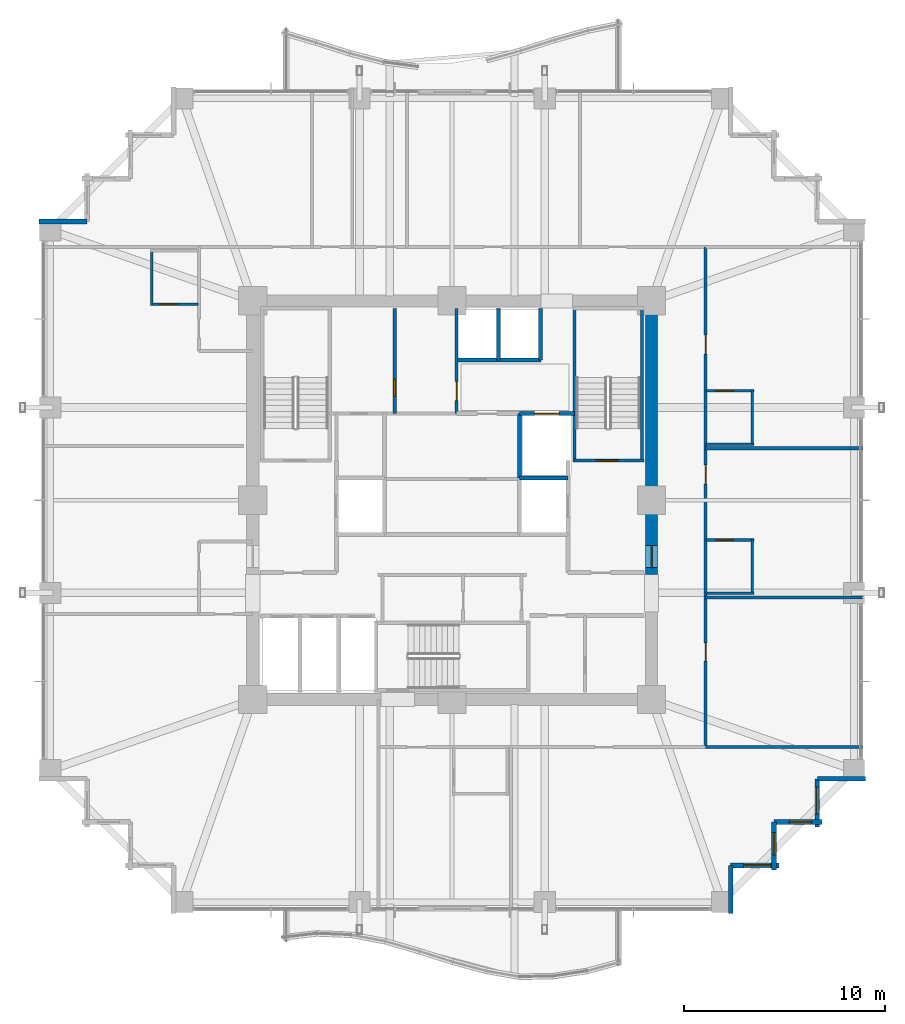
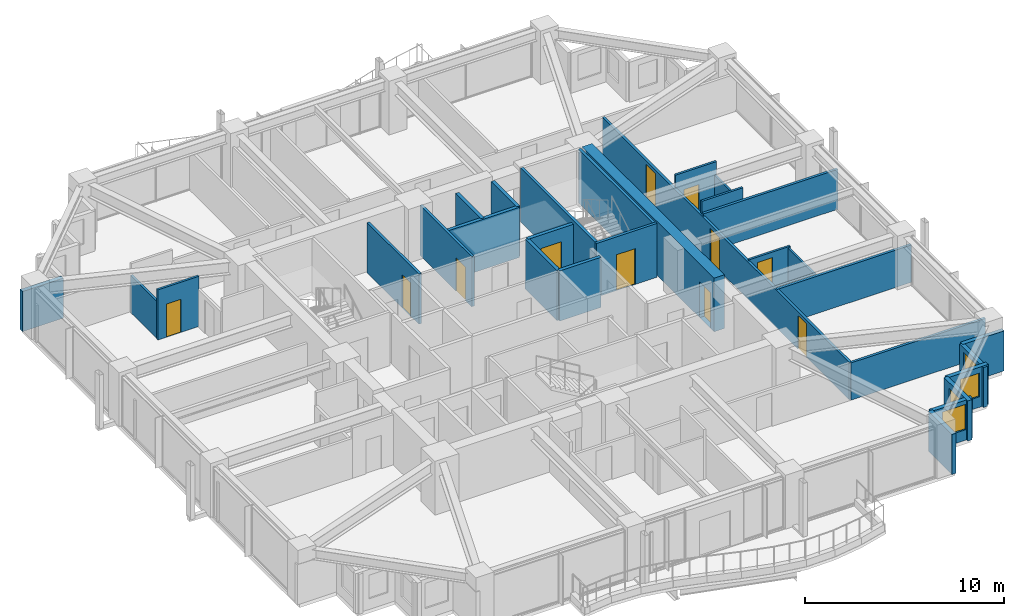
# One storey, part 34 of 38: 31 walls, 11 doors, 4 windows, 15 openings.
"""IFC4 building model written with IfcOpenShell, lengths in metres."""

from ifc_helpers import new_model, si_unit, direction, frame, frame_2d, origin, place, context, subcontext, project, spatial, rectangle, extrude, material, layer, layer_set, type_object, element, fill, save


model = new_model("IFC4")

# Units and contexts
model_context = context("Model", 3, precision=1e-05, world=origin(), true_north=direction((0.0, 1.0)))
body_context = subcontext(model_context, "Body", "Model", "MODEL_VIEW")
ifc_project = project(units=[si_unit("LENGTHUNIT", "METRE"), si_unit("AREAUNIT", "SQUARE_METRE"), si_unit("VOLUMEUNIT", "CUBIC_METRE"), si_unit("PLANEANGLEUNIT", "RADIAN"), si_unit("MASSUNIT", "GRAM", prefix="KILO")], contexts=[model_context])

# Site, building, storey
site_placement = place(None, origin())
site = spatial("IfcSite", under=ifc_project, at=site_placement, CompositionType="ELEMENT")
building_placement = place(site_placement, origin())
building = spatial("IfcBuilding", under=site, at=building_placement, Name="Kolvaren Belvedere", CompositionType="ELEMENT")
storey_placement = place(building_placement, frame((0.0, 0.0, 78.800048828125)))
storey = spatial("IfcBuildingStorey", under=building, at=storey_placement, Name="L22", CompositionType="ELEMENT", Elevation=78.800048828125)

# Wall, opening, door
ifc_material_1 = material(Name="Concrete C60/75", Category="concrete")
ifc_layer_1 = layer(ifc_material_1, 0.60009765625)
ifc_layer_set_1 = layer_set([ifc_layer_1], Name="Concrete C60/75")
wall_type_1 = type_object("IfcWallType", Name="CW-CORE-600", PredefinedType="SHEAR", material=ifc_layer_set_1)
wall_1_placement = place(storey_placement, frame((9.89990234375, -3.699951171875, 0.0), z_axis=(0.0, 0.0, 1.0), x_axis=(0.0, 1.0, 0.0)))
wall_1 = element("IfcWall", 1, at=wall_1_placement, inside=storey, type_object=wall_type_1, Name="L22 East Core Shear Wall 2", PredefinedType="SHEAR", context=body_context, shape_type="SweptSolid", body=[
    extrude(rectangle(XDim=13.300048828125, YDim=0.60009765625, at=frame_2d((6.64990234375, 0.0))), origin(), (0.0, 0.0, 1.0), 3.300048828125),
])
opening_1_placement = place(wall_1_placement, frame((0.35009765625, 0.0, 0.0)))
opening_1 = element("IfcOpeningElement", 2, at=opening_1_placement, cuts=wall_1, Name="Opening D-FD90", PredefinedType="OPENING", context=body_context, shape_type="SweptSolid", body=[
    extrude(rectangle(XDim=1.10009765625, YDim=2.199951171875, at=frame_2d((0.550048828125, 1.10009765625))), frame((0.0, 0.31005859375, 0.0), z_axis=(0.0, -1.0, 0.0), x_axis=(1.0, 0.0, 0.0)), (0.0, 0.0, 1.0), 0.6201171875),
])
ifc_material_2 = material(Name="Painted hollow stainless steel", Category="steel")
door_type_1 = type_object("IfcDoorType", Name="DR-FD90-1100", OperationType="NOTDEFINED", PredefinedType="DOOR", material=ifc_material_2)
door_1_placement = place(opening_1_placement, origin())
door_1 = element("IfcDoor", 3, at=door_1_placement, inside=storey, type_object=door_type_1, Name="L22 East Firefighting Lobby Fire Door", OperationType="SINGLE_SWING_RIGHT", OverallHeight=2.199951171875, OverallWidth=1.10009765625, PredefinedType="DOOR", context=body_context, shape_type="SweptSolid", body=[
    extrude(rectangle(XDim=1.10009765625, YDim=2.199951171875, at=frame_2d((0.550048828125, 1.10009765625))), frame((0.0, 0.02490234375, 0.0), z_axis=(0.0, -1.0, 0.0), x_axis=(1.0, 0.0, 0.0)), (0.0, 0.0, 1.0), 0.050048828125),
])
fill(opening_1, door_1)

ifc_material_3 = material(Name="Concrete C50/60", Category="concrete")
ifc_layer_2 = layer(ifc_material_3, 0.159912109375)
ifc_layer_set_2 = layer_set([ifc_layer_2], Name="Concrete C50/60")
wall_type_2 = type_object("IfcWallType", Name="CW-STAIR-160", PredefinedType="SHEAR", material=ifc_layer_set_2)
wall_2_placement = place(storey_placement, frame((6.0, 1.969970703125, 0.0), z_axis=(0.0, 0.0, 1.0), x_axis=(1.0, 0.0, 0.0)))
wall_2 = element("IfcWall", 4, at=wall_2_placement, inside=storey, type_object=wall_type_2, Name="L22 Stair ST-2 South Shear Wall", PredefinedType="SHEAR", context=body_context, shape_type="SweptSolid", body=[
    extrude(rectangle(XDim=3.52001953125, YDim=0.159912109375, at=frame_2d((1.760009765625, 0.0))), origin(), (0.0, 0.0, 1.0), 3.300048828125),
])
opening_2_placement = place(wall_2_placement, frame((1.14990234375, 0.0, 0.0)))
opening_2 = element("IfcOpeningElement", 5, at=opening_2_placement, cuts=wall_2, Name="Opening D-FD90", PredefinedType="OPENING", context=body_context, shape_type="SweptSolid", body=[
    extrude(rectangle(XDim=1.10009765625, YDim=2.199951171875, at=frame_2d((0.550048828125, 1.10009765625))), frame((0.0, 0.08984375, 0.0), z_axis=(0.0, -1.0, 0.0), x_axis=(1.0, 0.0, 0.0)), (0.0, 0.0, 1.0), 0.179931640625),
])
door_2_placement = place(opening_2_placement, origin())
door_2 = element("IfcDoor", 6, at=door_2_placement, inside=storey, type_object=door_type_1, Name="L22 Stair ST-2 Fire Door", OperationType="SINGLE_SWING_RIGHT", OverallHeight=2.199951171875, OverallWidth=1.10009765625, PredefinedType="DOOR", context=body_context, shape_type="SweptSolid", body=[
    extrude(rectangle(XDim=1.10009765625, YDim=2.199951171875, at=frame_2d((0.550048828125, 1.10009765625))), frame((0.0, 0.02490234375, 0.0), z_axis=(0.0, -1.0, 0.0), x_axis=(1.0, 0.0, 0.0)), (0.0, 0.0, 1.0), 0.050048828125),
])
fill(opening_2, door_2)

# Walls
for number, where, z_axis, x_axis, name in (
    (7, (6.080078125, 1.969970703125, 0.0), (0.0, 0.0, 1.0), (0.0, 1.0, 0.0), "L22 Stair ST-2 West Shear Wall"),
    (8, (9.429931640625, 1.969970703125, 0.0), (0.0, 0.0, 1.0), (0.0, 1.0, 0.0), "L22 Stair ST-2 East Shear Wall"),
):
    element("IfcWall", number, at=place(storey_placement, frame(where, z_axis=z_axis, x_axis=x_axis)), inside=storey, type_object=wall_type_2, Name=name, PredefinedType="SHEAR", context=body_context, shape_type="SweptSolid", body=[
        extrude(rectangle(XDim=7.56005859375, YDim=0.159912109375, at=frame_2d((3.780029296875, 0.0))), origin(), (0.0, 0.0, 1.0), 3.300048828125),
    ])

# Wall, openings, doors
ifc_material_4 = material(Name="Gypsum fire-rated partition assembly", Category="gypsum")
ifc_layer_3 = layer(ifc_material_4, 0.14990234375)
ifc_layer_set_3 = layer_set([ifc_layer_3], Name="Gypsum fire-rated partition assembly")
wall_type_3 = type_object("IfcWallType", Name="WL-CORR-150", PredefinedType="PARTITIONING", material=ifc_layer_set_3)
wall_3_placement = place(storey_placement, frame((12.580078125, -12.260009765625, 0.0), z_axis=(0.0, 0.0, 1.0), x_axis=(0.0, 1.0, 0.0)))
wall_3 = element("IfcWall", 9, at=wall_3_placement, inside=storey, type_object=wall_type_3, Name="L22 East Corridor Wall", PredefinedType="PARTITIONING", context=body_context, shape_type="SweptSolid", body=[
    extrude(rectangle(XDim=24.840087890625, YDim=0.14990234375, at=frame_2d((12.419921875, 0.0))), origin(), (0.0, 0.0, 1.0), 2.2919921875),
])
opening_3_placement = place(wall_3_placement, frame((4.27490234375, 0.0, 0.0)))
opening_3 = element("IfcOpeningElement", 10, at=opening_3_placement, cuts=wall_3, Name="Opening D-INT90", PredefinedType="OPENING", context=body_context, shape_type="SweptSolid", body=[
    extrude(rectangle(XDim=0.89990234375, YDim=2.06005859375, at=frame_2d((0.449951171875, 1.030029296875))), frame((0.0, 0.0849609375, 0.0), z_axis=(0.0, -1.0, 0.0), x_axis=(1.0, 0.0, 0.0)), (0.0, 0.0, 1.0), 0.169921875),
])
opening_4_placement = place(wall_3_placement, frame((13.059326171875, 0.0, 0.0)))
opening_4 = element("IfcOpeningElement", 11, at=opening_4_placement, cuts=wall_3, Name="Opening D-FD60", PredefinedType="OPENING", context=body_context, shape_type="SweptSolid", body=[
    extrude(rectangle(XDim=0.949951171875, YDim=2.06005859375, at=frame_2d((0.47509765625, 1.030029296875))), frame((0.0, 0.0849609375, 0.0), z_axis=(0.0, -1.0, 0.0), x_axis=(1.0, 0.0, 0.0)), (0.0, 0.0, 1.0), 0.169921875),
])
opening_5_placement = place(wall_3_placement, frame((19.507568359375, 0.0, 0.0)))
opening_5 = element("IfcOpeningElement", 12, at=opening_5_placement, cuts=wall_3, Name="Opening D-FD60", PredefinedType="OPENING", context=body_context, shape_type="SweptSolid", body=[
    extrude(rectangle(XDim=0.949951171875, YDim=2.06005859375, at=frame_2d((0.47509765625, 1.030029296875))), frame((0.0, 0.0849609375, 0.0), z_axis=(0.0, -1.0, 0.0), x_axis=(1.0, 0.0, 0.0)), (0.0, 0.0, 1.0), 0.169921875),
])
ifc_material_5 = material(Name="Acoustic white-oak fire door leaf", Category="timber")
door_type_2 = type_object("IfcDoorType", Name="DR-FD60-950", OperationType="NOTDEFINED", PredefinedType="DOOR", material=ifc_material_5)
door_3_placement = place(opening_4_placement, origin())
door_3 = element("IfcDoor", 13, at=door_3_placement, inside=storey, type_object=door_type_2, Name="L22 Botanical Hospitality Suite 2205 Entry Door", OperationType="SINGLE_SWING_LEFT", OverallHeight=2.06005859375, OverallWidth=0.949951171875, PredefinedType="DOOR", context=body_context, shape_type="SweptSolid", body=[
    extrude(rectangle(XDim=0.949951171875, YDim=2.06005859375, at=frame_2d((0.47509765625, 1.030029296875))), frame((0.0, 0.02490234375, 0.0), z_axis=(0.0, -1.0, 0.0), x_axis=(1.0, 0.0, 0.0)), (0.0, 0.0, 1.0), 0.050048828125),
])
fill(opening_4, door_3)
door_4_placement = place(opening_5_placement, origin())
door_4 = element("IfcDoor", 14, at=door_4_placement, inside=storey, type_object=door_type_2, Name="L22 King Guest Room 2206 Entry Door", OperationType="SINGLE_SWING_LEFT", OverallHeight=2.06005859375, OverallWidth=0.949951171875, PredefinedType="DOOR", context=body_context, shape_type="SweptSolid", body=[
    extrude(rectangle(XDim=0.949951171875, YDim=2.06005859375, at=frame_2d((0.47509765625, 1.030029296875))), frame((0.0, 0.02490234375, 0.0), z_axis=(0.0, -1.0, 0.0), x_axis=(1.0, 0.0, 0.0)), (0.0, 0.0, 1.0), 0.050048828125),
])
fill(opening_5, door_4)
ifc_material_6 = material(Name="Stained Pacific white oak", Category="timber")
door_type_3 = type_object("IfcDoorType", Name="DR-INT-900", OperationType="NOTDEFINED", PredefinedType="DOOR", material=ifc_material_6)
door_5_placement = place(opening_3_placement, origin())
door_5 = element("IfcDoor", 15, at=door_5_placement, inside=storey, type_object=door_type_3, Name="L22 Botanical Reading Salon 2204 Door", OperationType="SINGLE_SWING_LEFT", OverallHeight=2.06005859375, OverallWidth=0.89990234375, PredefinedType="DOOR", context=body_context, shape_type="SweptSolid", body=[
    extrude(rectangle(XDim=0.89990234375, YDim=2.06005859375, at=frame_2d((0.449951171875, 1.030029296875))), frame((0.0, 0.02490234375, 0.0), z_axis=(0.0, -1.0, 0.0), x_axis=(1.0, 0.0, 0.0)), (0.0, 0.0, 1.0), 0.050048828125),
])
fill(opening_3, door_5)

# Wall
ifc_material_7 = material(Name="Insulated pale-metal facade wall assembly", Category="aluminium")
ifc_layer_4 = layer(ifc_material_7, 0.239990234375)
ifc_layer_set_4 = layer_set([ifc_layer_4], Name="Insulated pale-metal facade wall assembly")
wall_type_4 = type_object("IfcWallType", Name="WL-EXT-240", PredefinedType="STANDARD", material=ifc_layer_set_4)
wall_4_placement = place(storey_placement, frame((13.830078125, -18.1298828125, 0.0), z_axis=(0.0, 0.0, 1.0), x_axis=(0.0, -1.0, 0.0)))
element("IfcWall", 16, at=wall_4_placement, inside=storey, type_object=wall_type_4, Name="L22 Serrated Corner Facade Wall 2", PredefinedType="STANDARD", context=body_context, shape_type="SweptSolid", body=[
    extrude(rectangle(XDim=2.39013671875, YDim=0.239990234375, at=frame_2d((1.195068359375, 0.0))), origin(), (0.0, 0.0, 1.0), 2.458984375),
])

# Wall, opening, window
wall_5_placement = place(storey_placement, frame((16.219970703125, -18.1298828125, 0.0), z_axis=(0.0, 0.0, 1.0), x_axis=(-1.0, 0.0, 0.0)))
wall_5 = element("IfcWall", 17, at=wall_5_placement, inside=storey, type_object=wall_type_4, Name="L22 Serrated Corner Facade Wall 3", PredefinedType="STANDARD", context=body_context, shape_type="SweptSolid", body=[
    extrude(rectangle(XDim=2.389892578125, YDim=0.239990234375, at=frame_2d((1.19482421875, 0.0))), origin(), (0.0, 0.0, 1.0), 2.458984375),
])
opening_6_placement = place(wall_5_placement, frame((0.39990234375, 0.0, 0.64990234375)))
opening_6 = element("IfcOpeningElement", 18, at=opening_6_placement, cuts=wall_5, Name="Opening W-1350", PredefinedType="OPENING", context=body_context, shape_type="SweptSolid", body=[
    extrude(rectangle(XDim=1.35009765625, YDim=1.550048828125, at=frame_2d((0.675048828125, 0.77490234375))), frame((0.0, 0.1298828125, 0.0), z_axis=(0.0, -1.0, 0.0), x_axis=(1.0, 0.0, 0.0)), (0.0, 0.0, 1.0), 0.260009765625),
])
ifc_material_8 = material(Name="Low-iron triple insulated glass", Category="glass")
window_type_1 = type_object("IfcWindowType", Name="WN-CORN-1350", PartitioningType="SINGLE_PANEL", PredefinedType="WINDOW", material=ifc_material_8)
window_1_placement = place(opening_6_placement, origin())
window_1 = element("IfcWindow", 19, at=window_1_placement, inside=storey, type_object=window_type_1, Name="L22 Serrated Corner Vision Window 3", OverallHeight=1.550048828125, OverallWidth=1.35009765625, PartitioningType="SINGLE_PANEL", PredefinedType="WINDOW", context=body_context, shape_type="SweptSolid", body=[
    extrude(rectangle(XDim=1.35009765625, YDim=1.550048828125, at=frame_2d((0.675048828125, 0.77490234375))), frame((0.0, 0.030029296875, 0.0), z_axis=(0.0, -1.0, 0.0), x_axis=(1.0, 0.0, 0.0)), (0.0, 0.0, 1.0), 0.06005859375),
])
fill(opening_6, window_1)

wall_6_placement = place(storey_placement, frame((15.97998046875, -15.97998046875, 0.0), z_axis=(0.0, 0.0, 1.0), x_axis=(0.0, -1.0, 0.0)))
wall_6 = element("IfcWall", 20, at=wall_6_placement, inside=storey, type_object=wall_type_4, Name="L22 Serrated Corner Facade Wall 4", PredefinedType="STANDARD", context=body_context, shape_type="SweptSolid", body=[
    extrude(rectangle(XDim=2.39013671875, YDim=0.239990234375, at=frame_2d((1.195068359375, 0.0))), origin(), (0.0, 0.0, 1.0), 2.458984375),
])
opening_7_placement = place(wall_6_placement, frame((0.52490234375, 0.0, 0.64990234375)))
opening_7 = element("IfcOpeningElement", 21, at=opening_7_placement, cuts=wall_6, Name="Opening W-1100", PredefinedType="OPENING", context=body_context, shape_type="SweptSolid", body=[
    extrude(rectangle(XDim=1.10009765625, YDim=1.449951171875, at=frame_2d((0.550048828125, 0.72509765625))), frame((0.0, 0.1298828125, 0.0), z_axis=(0.0, -1.0, 0.0), x_axis=(1.0, 0.0, 0.0)), (0.0, 0.0, 1.0), 0.260009765625),
])
ifc_material_9 = material(Name="Low-iron triple insulated glass", Category="glass")
window_type_2 = type_object("IfcWindowType", Name="WN-CORN-1100", PartitioningType="SINGLE_PANEL", PredefinedType="WINDOW", material=ifc_material_9)
window_2_placement = place(opening_7_placement, origin())
window_2 = element("IfcWindow", 22, at=window_2_placement, inside=storey, type_object=window_type_2, Name="L22 Serrated Corner Vision Window 4", OverallHeight=1.449951171875, OverallWidth=1.10009765625, PartitioningType="SINGLE_PANEL", PredefinedType="WINDOW", context=body_context, shape_type="SweptSolid", body=[
    extrude(rectangle(XDim=1.10009765625, YDim=1.449951171875, at=frame_2d((0.550048828125, 0.72509765625))), frame((0.0, 0.030029296875, 0.0), z_axis=(0.0, -1.0, 0.0), x_axis=(1.0, 0.0, 0.0)), (0.0, 0.0, 1.0), 0.06005859375),
])
fill(opening_7, window_2)

wall_7_placement = place(storey_placement, frame((18.3701171875, -15.97998046875, 0.0), z_axis=(0.0, 0.0, 1.0), x_axis=(-1.0, 0.0, 0.0)))
wall_7 = element("IfcWall", 23, at=wall_7_placement, inside=storey, type_object=wall_type_4, Name="L22 Serrated Corner Facade Wall 5", PredefinedType="STANDARD", context=body_context, shape_type="SweptSolid", body=[
    extrude(rectangle(XDim=2.39013671875, YDim=0.239990234375, at=frame_2d((1.195068359375, 0.0))), origin(), (0.0, 0.0, 1.0), 2.458984375),
])
opening_8_placement = place(wall_7_placement, frame((0.52490234375, 0.0, 0.64990234375)))
opening_8 = element("IfcOpeningElement", 24, at=opening_8_placement, cuts=wall_7, Name="Opening W-1100", PredefinedType="OPENING", context=body_context, shape_type="SweptSolid", body=[
    extrude(rectangle(XDim=1.10009765625, YDim=1.449951171875, at=frame_2d((0.550048828125, 0.72509765625))), frame((0.0, 0.1298828125, 0.0), z_axis=(0.0, -1.0, 0.0), x_axis=(1.0, 0.0, 0.0)), (0.0, 0.0, 1.0), 0.260009765625),
])
window_3_placement = place(opening_8_placement, origin())
window_3 = element("IfcWindow", 25, at=window_3_placement, inside=storey, type_object=window_type_2, Name="L22 Serrated Corner Vision Window 5", OverallHeight=1.449951171875, OverallWidth=1.10009765625, PartitioningType="SINGLE_PANEL", PredefinedType="WINDOW", context=body_context, shape_type="SweptSolid", body=[
    extrude(rectangle(XDim=1.10009765625, YDim=1.449951171875, at=frame_2d((0.550048828125, 0.72509765625))), frame((0.0, 0.030029296875, 0.0), z_axis=(0.0, -1.0, 0.0), x_axis=(1.0, 0.0, 0.0)), (0.0, 0.0, 1.0), 0.06005859375),
])
fill(opening_8, window_3)

wall_8_placement = place(storey_placement, frame((18.1298828125, -13.830078125, 0.0), z_axis=(0.0, 0.0, 1.0), x_axis=(0.0, -1.0, 0.0)))
wall_8 = element("IfcWall", 26, at=wall_8_placement, inside=storey, type_object=wall_type_4, Name="L22 Serrated Corner Facade Wall 6", PredefinedType="STANDARD", context=body_context, shape_type="SweptSolid", body=[
    extrude(rectangle(XDim=2.389892578125, YDim=0.239990234375, at=frame_2d((1.19482421875, 0.0))), origin(), (0.0, 0.0, 1.0), 2.458984375),
])
opening_9_placement = place(wall_8_placement, frame((0.39990234375, 0.0, 0.64990234375)))
opening_9 = element("IfcOpeningElement", 27, at=opening_9_placement, cuts=wall_8, Name="Opening W-1350", PredefinedType="OPENING", context=body_context, shape_type="SweptSolid", body=[
    extrude(rectangle(XDim=1.35009765625, YDim=1.550048828125, at=frame_2d((0.675048828125, 0.77490234375))), frame((0.0, 0.1298828125, 0.0), z_axis=(0.0, -1.0, 0.0), x_axis=(1.0, 0.0, 0.0)), (0.0, 0.0, 1.0), 0.260009765625),
])
window_4_placement = place(opening_9_placement, origin())
window_4 = element("IfcWindow", 28, at=window_4_placement, inside=storey, type_object=window_type_1, Name="L22 Serrated Corner Vision Window 6", OverallHeight=1.550048828125, OverallWidth=1.35009765625, PartitioningType="SINGLE_PANEL", PredefinedType="WINDOW", context=body_context, shape_type="SweptSolid", body=[
    extrude(rectangle(XDim=1.35009765625, YDim=1.550048828125, at=frame_2d((0.675048828125, 0.77490234375))), frame((0.0, 0.030029296875, 0.0), z_axis=(0.0, -1.0, 0.0), x_axis=(1.0, 0.0, 0.0)), (0.0, 0.0, 1.0), 0.06005859375),
])
fill(opening_9, window_4)

# Walls
for number, where, z_axis, x_axis, name in (
    (29, (20.52001953125, -13.830078125, 0.0), (0.0, 0.0, 1.0), (-1.0, 0.0, 0.0), "L22 Serrated Corner Facade Wall 7"),
    (30, (-20.52001953125, 13.830078125, 0.0), (0.0, 0.0, 1.0), (1.0, 0.0, 0.0), "L22 Serrated Corner Facade Wall 21"),
):
    element("IfcWall", number, at=place(storey_placement, frame(where, z_axis=z_axis, x_axis=x_axis)), inside=storey, type_object=wall_type_4, Name=name, PredefinedType="STANDARD", context=body_context, shape_type="SweptSolid", body=[
        extrude(rectangle(XDim=2.39013671875, YDim=0.239990234375, at=frame_2d((1.195068359375, 0.0))), origin(), (0.0, 0.0, 1.0), 2.458984375),
    ])

# Wall, opening, door
ifc_material_10 = material(Name="Gypsum acoustic partition assembly", Category="gypsum")
ifc_layer_5 = layer(ifc_material_10, 0.14990234375)
ifc_layer_set_5 = layer_set([ifc_layer_5], Name="Gypsum acoustic partition assembly")
wall_type_5 = type_object("IfcWallType", Name="WL-PART-150", PredefinedType="PARTITIONING", material=ifc_layer_set_5)
wall_9_placement = place(storey_placement, frame((0.219970703125, 4.300048828125, 0.0), z_axis=(0.0, 0.0, 1.0), x_axis=(0.0, 1.0, 0.0)))
wall_9 = element("IfcWall", 31, at=wall_9_placement, inside=storey, type_object=wall_type_5, Name="L22 Reclaimed Salon East Wall", PredefinedType="PARTITIONING", context=body_context, shape_type="SweptSolid", body=[
    extrude(rectangle(XDim=5.219970703125, YDim=0.14990234375, at=frame_2d((2.60986328125, 0.0))), origin(), (0.0, 0.0, 1.0), 3.079833984375),
])
opening_10_placement = place(wall_9_placement, frame((0.64990234375, 0.0, 0.0)))
opening_10 = element("IfcOpeningElement", 32, at=opening_10_placement, cuts=wall_9, Name="Opening D-INT95", PredefinedType="OPENING", context=body_context, shape_type="SweptSolid", body=[
    extrude(rectangle(XDim=0.949951171875, YDim=2.06005859375, at=frame_2d((0.47509765625, 1.030029296875))), frame((0.0, 0.0849609375, 0.0), z_axis=(0.0, -1.0, 0.0), x_axis=(1.0, 0.0, 0.0)), (0.0, 0.0, 1.0), 0.169921875),
])
ifc_material_11 = material(Name="Stained Pacific white oak", Category="timber")
door_type_4 = type_object("IfcDoorType", Name="DR-INT-950", OperationType="NOTDEFINED", PredefinedType="DOOR", material=ifc_material_11)
door_6_placement = place(opening_10_placement, origin())
door_6 = element("IfcDoor", 33, at=door_6_placement, inside=storey, type_object=door_type_4, Name="L22 Sky Boardroom Door", OperationType="SINGLE_SWING_LEFT", OverallHeight=2.06005859375, OverallWidth=0.949951171875, PredefinedType="DOOR", context=body_context, shape_type="SweptSolid", body=[
    extrude(rectangle(XDim=0.949951171875, YDim=2.06005859375, at=frame_2d((0.47509765625, 1.030029296875))), frame((0.0, 0.02490234375, 0.0), z_axis=(0.0, -1.0, 0.0), x_axis=(1.0, 0.0, 0.0)), (0.0, 0.0, 1.0), 0.050048828125),
])
fill(opening_10, door_6)

wall_10_placement = place(storey_placement, frame((-2.85009765625, 4.300048828125, 0.0), z_axis=(0.0, 0.0, 1.0), x_axis=(0.0, 1.0, 0.0)))
wall_10 = element("IfcWall", 34, at=wall_10_placement, inside=storey, type_object=wall_type_5, Name="L22 Reclaimed Salon Divider", PredefinedType="PARTITIONING", context=body_context, shape_type="SweptSolid", body=[
    extrude(rectangle(XDim=5.219970703125, YDim=0.14990234375, at=frame_2d((2.60986328125, 0.0))), origin(), (0.0, 0.0, 1.0), 3.079833984375),
])
opening_11_placement = place(wall_10_placement, frame((0.85009765625, 0.0, 0.0)))
opening_11 = element("IfcOpeningElement", 35, at=opening_11_placement, cuts=wall_10, Name="Opening D-INT85", PredefinedType="OPENING", context=body_context, shape_type="SweptSolid", body=[
    extrude(rectangle(XDim=0.85009765625, YDim=2.030029296875, at=frame_2d((0.425048828125, 1.01513671875))), frame((0.0, 0.0849609375, 0.0), z_axis=(0.0, -1.0, 0.0), x_axis=(1.0, 0.0, 0.0)), (0.0, 0.0, 1.0), 0.169921875),
])
ifc_material_12 = material(Name="Stained Pacific white oak", Category="timber")
door_type_5 = type_object("IfcDoorType", Name="DR-INT-850", OperationType="NOTDEFINED", PredefinedType="DOOR", material=ifc_material_12)
door_7_placement = place(opening_11_placement, origin())
door_7 = element("IfcDoor", 36, at=door_7_placement, inside=storey, type_object=door_type_5, Name="L22 Beverage Pantry Door", OperationType="SINGLE_SWING_RIGHT", OverallHeight=2.030029296875, OverallWidth=0.85009765625, PredefinedType="DOOR", context=body_context, shape_type="SweptSolid", body=[
    extrude(rectangle(XDim=0.85009765625, YDim=2.030029296875, at=frame_2d((0.425048828125, 1.01513671875))), frame((0.0, 0.02490234375, 0.0), z_axis=(0.0, -1.0, 0.0), x_axis=(1.0, 0.0, 0.0)), (0.0, 0.0, 1.0), 0.050048828125),
])
fill(opening_11, door_7)

# Walls
for number, where, z_axis, x_axis, name in (
    (37, (12.580078125, -12.260009765625, 0.0), (0.0, 0.0, 1.0), (1.0, 0.0, 0.0), "L22 Wing Divider PW-L22-QSE"),
    (38, (12.580078125, -4.820068359375, 0.0), (0.0, 0.0, 1.0), (1.0, 0.0, 0.0), "L22 East Suite Demising Wall 1"),
):
    element("IfcWall", number, at=place(storey_placement, frame(where, z_axis=z_axis, x_axis=x_axis)), inside=storey, type_object=wall_type_5, Name=name, PredefinedType="PARTITIONING", context=body_context, shape_type="SweptSolid", body=[
        extrude(rectangle(XDim=7.7998046875, YDim=0.14990234375, at=frame_2d((3.89990234375, 0.0))), origin(), (0.0, 0.0, 1.0), 2.2919921875),
    ])
wall_11_placement = place(storey_placement, frame((12.580078125, 2.580078125, 0.0), z_axis=(0.0, 0.0, 1.0), x_axis=(1.0, 0.0, 0.0)))
element("IfcWall", 39, at=wall_11_placement, inside=storey, type_object=wall_type_5, Name="L22 East Suite Demising Wall 2", PredefinedType="PARTITIONING", context=body_context, shape_type="SweptSolid", body=[
    extrude(rectangle(XDim=7.7998046875, YDim=0.14990234375, at=frame_2d((3.89990234375, 0.0))), origin(), (0.0, 0.0, 1.0), 2.448974609375),
])
ifc_material_13 = material(Name="Concrete C50/60", Category="concrete")
ifc_layer_6 = layer(ifc_material_13, 0.199951171875)
ifc_layer_set_6 = layer_set([ifc_layer_6], Name="Concrete C50/60")
wall_type_6 = type_object("IfcWallType", Name="WL-SHAFT-200", PredefinedType="SOLIDWALL", material=ifc_layer_set_6)
wall_12_placement = place(storey_placement, frame((3.35009765625, 1.10009765625, 0.0), z_axis=(0.0, 0.0, 1.0), x_axis=(1.0, 0.0, 0.0)))
element("IfcWall", 40, at=wall_12_placement, inside=storey, type_object=wall_type_6, Name="L22 FSAE FS2 North Wall", PredefinedType="SOLIDWALL", context=body_context, shape_type="SweptSolid", body=[
    extrude(rectangle(XDim=2.39990234375, YDim=0.199951171875, at=frame_2d((1.199951171875, 0.0))), origin(), (0.0, 0.0, 1.0), 3.079833984375),
])

# Wall, opening, door
wall_13_placement = place(storey_placement, frame((3.35009765625, 4.300048828125, 0.0), z_axis=(0.0, 0.0, 1.0), x_axis=(1.0, 0.0, 0.0)))
wall_13 = element("IfcWall", 41, at=wall_13_placement, inside=storey, type_object=wall_type_6, Name="L22 Service Lift SV1 Front Wall", PredefinedType="SOLIDWALL", context=body_context, shape_type="SweptSolid", body=[
    extrude(rectangle(XDim=2.72998046875, YDim=0.199951171875, at=frame_2d((1.364990234375, 0.0))), origin(), (0.0, 0.0, 1.0), 3.079833984375),
])
opening_12_placement = place(wall_13_placement, frame((0.75, 0.0, 0.0)))
opening_12 = element("IfcOpeningElement", 42, at=opening_12_placement, cuts=wall_13, Name="Opening LD-12", PredefinedType="OPENING", context=body_context, shape_type="SweptSolid", body=[
    extrude(rectangle(XDim=1.199951171875, YDim=2.25, at=frame_2d((0.60009765625, 1.125))), frame((0.0, 0.10986328125, 0.0), z_axis=(0.0, -1.0, 0.0), x_axis=(1.0, 0.0, 0.0)), (0.0, 0.0, 1.0), 0.219970703125),
])
ifc_material_14 = material(Name="Brushed stainless steel", Category="steel")
door_type_6 = type_object("IfcDoorType", Name="DR-LIFT-1200", OperationType="DOUBLE_DOOR_SLIDING", PredefinedType="DOOR", material=ifc_material_14)
door_8_placement = place(opening_12_placement, origin())
door_8 = element("IfcDoor", 43, at=door_8_placement, inside=storey, type_object=door_type_6, Name="L22 Service Lift SV1 Landing Door", OperationType="DOUBLE_DOOR_SLIDING", OverallHeight=2.25, OverallWidth=1.199951171875, PredefinedType="DOOR", context=body_context, shape_type="SweptSolid", body=[
    extrude(rectangle(XDim=1.199951171875, YDim=2.25, at=frame_2d((0.60009765625, 1.125))), frame((0.0, 0.02490234375, 0.0), z_axis=(0.0, -1.0, 0.0), x_axis=(1.0, 0.0, 0.0)), (0.0, 0.0, 1.0), 0.050048828125),
])
fill(opening_12, door_8)

# Walls
wall_14_placement = place(storey_placement, frame((0.219970703125, 6.949951171875, 0.0), z_axis=(0.0, 0.0, 1.0), x_axis=(1.0, 0.0, 0.0)))
element("IfcWall", 44, at=wall_14_placement, inside=storey, type_object=wall_type_6, Name="L22 Express Shuttle Hoistway Wall", PredefinedType="SOLIDWALL", context=body_context, shape_type="SweptSolid", body=[
    extrude(rectangle(XDim=4.179931640625, YDim=0.199951171875, at=frame_2d((2.08984375, 0.0))), origin(), (0.0, 0.0, 1.0), 3.079833984375),
])
for number, where, z_axis, x_axis, name in (
    (45, (4.3798828125, 6.949951171875, 0.0), (0.0, 0.0, 1.0), (0.0, 1.0, 0.0), "L22 Express Shuttle East Wall"),
    (46, (2.31005859375, 6.949951171875, 0.0), (0.0, 0.0, 1.0), (0.0, 1.0, 0.0), "L22 Express Shuttle Divider"),
):
    element("IfcWall", number, at=place(storey_placement, frame(where, z_axis=z_axis, x_axis=x_axis)), inside=storey, type_object=wall_type_6, Name=name, PredefinedType="SOLIDWALL", context=body_context, shape_type="SweptSolid", body=[
        extrude(rectangle(XDim=2.570068359375, YDim=0.199951171875, at=frame_2d((1.28515625, 0.0))), origin(), (0.0, 0.0, 1.0), 3.079833984375),
    ])
wall_15_placement = place(storey_placement, frame((3.35009765625, 1.10009765625, 0.0), z_axis=(0.0, 0.0, 1.0), x_axis=(0.0, 1.0, 0.0)))
element("IfcWall", 47, at=wall_15_placement, inside=storey, type_object=wall_type_6, Name="L22 Central Core Room East Wall", PredefinedType="SOLIDWALL", context=body_context, shape_type="SweptSolid", body=[
    extrude(rectangle(XDim=3.199951171875, YDim=0.199951171875, at=frame_2d((1.60009765625, 0.0))), origin(), (0.0, 0.0, 1.0), 3.079833984375),
])

# Wall, opening, door
ifc_material_15 = material(Name="Moisture-resistant gypsum partition", Category="gypsum")
ifc_layer_7 = layer(ifc_material_15, 0.125)
ifc_layer_set_7 = layer_set([ifc_layer_7], Name="Moisture-resistant gypsum partition")
wall_type_7 = type_object("IfcWallType", Name="WL-WET-125", PredefinedType="PARTITIONING", material=ifc_layer_set_7)
wall_16_placement = place(storey_placement, frame((12.594970703125, -1.97509765625, 0.0), z_axis=(0.0, 0.0, 1.0), x_axis=(1.0, 0.0, 0.0)))
wall_16 = element("IfcWall", 48, at=wall_16_placement, inside=storey, type_object=wall_type_7, Name="L22 Bathroom Partition PW-L22-BTH-5-N", PredefinedType="PARTITIONING", context=body_context, shape_type="SweptSolid", body=[
    extrude(rectangle(XDim=2.39013671875, YDim=0.125, at=frame_2d((1.195068359375, 0.0))), origin(), (0.0, 0.0, 1.0), 2.368896484375),
])
opening_13_placement = place(wall_16_placement, frame((0.5, 0.0, 0.0)))
opening_13 = element("IfcOpeningElement", 49, at=opening_13_placement, cuts=wall_16, Name="Opening D-BTH85", PredefinedType="OPENING", context=body_context, shape_type="SweptSolid", body=[
    extrude(rectangle(XDim=0.85009765625, YDim=2.030029296875, at=frame_2d((0.425048828125, 1.01513671875))), frame((0.0, 0.072509765625, 0.0), z_axis=(0.0, -1.0, 0.0), x_axis=(1.0, 0.0, 0.0)), (0.0, 0.0, 1.0), 0.14501953125),
])
ifc_material_16 = material(Name="Moisture-sealed Pacific white oak", Category="timber")
door_type_7 = type_object("IfcDoorType", Name="DR-BATH-850", OperationType="NOTDEFINED", PredefinedType="DOOR", material=ifc_material_16)
door_9_placement = place(opening_13_placement, origin())
door_9 = element("IfcDoor", 50, at=door_9_placement, inside=storey, type_object=door_type_7, Name="L22 En-Suite Bathroom 2205 Door", OperationType="SINGLE_SWING_RIGHT", OverallHeight=2.030029296875, OverallWidth=0.85009765625, PredefinedType="DOOR", context=body_context, shape_type="SweptSolid", body=[
    extrude(rectangle(XDim=0.85009765625, YDim=2.030029296875, at=frame_2d((0.425048828125, 1.01513671875))), frame((0.0, 0.02490234375, 0.0), z_axis=(0.0, -1.0, 0.0), x_axis=(1.0, 0.0, 0.0)), (0.0, 0.0, 1.0), 0.050048828125),
])
fill(opening_13, door_9)

# Walls
wall_17_placement = place(storey_placement, frame((14.905029296875, -4.68505859375, 0.0), z_axis=(0.0, 0.0, 1.0), x_axis=(0.0, 1.0, 0.0)))
element("IfcWall", 51, at=wall_17_placement, inside=storey, type_object=wall_type_7, Name="L22 Bathroom Partition PW-L22-BTH-5-V", PredefinedType="PARTITIONING", context=body_context, shape_type="SweptSolid", body=[
    extrude(rectangle(XDim=2.77001953125, YDim=0.125, at=frame_2d((1.385009765625, 0.0))), origin(), (0.0, 0.0, 1.0), 2.2919921875),
])
wall_18_placement = place(storey_placement, frame((12.594970703125, -4.625, 0.0), z_axis=(0.0, 0.0, 1.0), x_axis=(1.0, 0.0, 0.0)))
element("IfcWall", 52, at=wall_18_placement, inside=storey, type_object=wall_type_7, Name="L22 Bathroom Partition PW-L22-BTH-5-S", PredefinedType="PARTITIONING", context=body_context, shape_type="SweptSolid", body=[
    extrude(rectangle(XDim=2.39013671875, YDim=0.125, at=frame_2d((1.195068359375, 0.0))), origin(), (0.0, 0.0, 1.0), 2.2919921875),
])

# Wall, opening, door
wall_19_placement = place(storey_placement, frame((12.594970703125, 5.425048828125, 0.0), z_axis=(0.0, 0.0, 1.0), x_axis=(1.0, 0.0, 0.0)))
wall_19 = element("IfcWall", 53, at=wall_19_placement, inside=storey, type_object=wall_type_7, Name="L22 Bathroom Partition PW-L22-BTH-6-N", PredefinedType="PARTITIONING", context=body_context, shape_type="SweptSolid", body=[
    extrude(rectangle(XDim=2.39013671875, YDim=0.125, at=frame_2d((1.195068359375, 0.0))), origin(), (0.0, 0.0, 1.0), 3.079833984375),
])
opening_14_placement = place(wall_19_placement, frame((0.5, 0.0, 0.0)))
opening_14 = element("IfcOpeningElement", 54, at=opening_14_placement, cuts=wall_19, Name="Opening D-BTH85", PredefinedType="OPENING", context=body_context, shape_type="SweptSolid", body=[
    extrude(rectangle(XDim=0.85009765625, YDim=2.030029296875, at=frame_2d((0.425048828125, 1.01513671875))), frame((0.0, 0.072509765625, 0.0), z_axis=(0.0, -1.0, 0.0), x_axis=(1.0, 0.0, 0.0)), (0.0, 0.0, 1.0), 0.14501953125),
])
door_10_placement = place(opening_14_placement, origin())
door_10 = element("IfcDoor", 55, at=door_10_placement, inside=storey, type_object=door_type_7, Name="L22 En-Suite Bathroom 2206 Door", OperationType="SINGLE_SWING_RIGHT", OverallHeight=2.030029296875, OverallWidth=0.85009765625, PredefinedType="DOOR", context=body_context, shape_type="SweptSolid", body=[
    extrude(rectangle(XDim=0.85009765625, YDim=2.030029296875, at=frame_2d((0.425048828125, 1.01513671875))), frame((0.0, 0.02490234375, 0.0), z_axis=(0.0, -1.0, 0.0), x_axis=(1.0, 0.0, 0.0)), (0.0, 0.0, 1.0), 0.050048828125),
])
fill(opening_14, door_10)

# Walls
wall_20_placement = place(storey_placement, frame((14.905029296875, 2.715087890625, 0.0), z_axis=(0.0, 0.0, 1.0), x_axis=(0.0, 1.0, 0.0)))
element("IfcWall", 56, at=wall_20_placement, inside=storey, type_object=wall_type_7, Name="L22 Bathroom Partition PW-L22-BTH-6-V", PredefinedType="PARTITIONING", context=body_context, shape_type="SweptSolid", body=[
    extrude(rectangle(XDim=2.77001953125, YDim=0.125, at=frame_2d((1.385009765625, 0.0))), origin(), (0.0, 0.0, 1.0), 2.2919921875),
])
wall_21_placement = place(storey_placement, frame((12.594970703125, 2.77490234375, 0.0), z_axis=(0.0, 0.0, 1.0), x_axis=(1.0, 0.0, 0.0)))
element("IfcWall", 57, at=wall_21_placement, inside=storey, type_object=wall_type_7, Name="L22 Bathroom Partition PW-L22-BTH-6-S", PredefinedType="PARTITIONING", context=body_context, shape_type="SweptSolid", body=[
    extrude(rectangle(XDim=2.39013671875, YDim=0.125, at=frame_2d((1.195068359375, 0.0))), origin(), (0.0, 0.0, 1.0), 3.079833984375),
])

# Wall, opening, door
wall_22_placement = place(storey_placement, frame((-14.985107421875, 9.735107421875, 0.0), z_axis=(0.0, 0.0, 1.0), x_axis=(1.0, 0.0, 0.0)))
wall_22 = element("IfcWall", 58, at=wall_22_placement, inside=storey, type_object=wall_type_7, Name="L22 Bathroom Partition PW-L22-BTH-7-N", PredefinedType="PARTITIONING", context=body_context, shape_type="SweptSolid", body=[
    extrude(rectangle(XDim=2.39013671875, YDim=0.125, at=frame_2d((1.195068359375, 0.0))), origin(), (0.0, 0.0, 1.0), 3.079833984375),
])
opening_15_placement = place(wall_22_placement, frame((0.5, 0.0, 0.0)))
opening_15 = element("IfcOpeningElement", 59, at=opening_15_placement, cuts=wall_22, Name="Opening D-BTH85", PredefinedType="OPENING", context=body_context, shape_type="SweptSolid", body=[
    extrude(rectangle(XDim=0.85009765625, YDim=2.030029296875, at=frame_2d((0.425048828125, 1.01513671875))), frame((0.0, 0.072509765625, 0.0), z_axis=(0.0, -1.0, 0.0), x_axis=(1.0, 0.0, 0.0)), (0.0, 0.0, 1.0), 0.14501953125),
])
door_11_placement = place(opening_15_placement, origin())
door_11 = element("IfcDoor", 60, at=door_11_placement, inside=storey, type_object=door_type_7, Name="L22 En-Suite Bathroom 2207 Door", OperationType="SINGLE_SWING_RIGHT", OverallHeight=2.030029296875, OverallWidth=0.85009765625, PredefinedType="DOOR", context=body_context, shape_type="SweptSolid", body=[
    extrude(rectangle(XDim=0.85009765625, YDim=2.030029296875, at=frame_2d((0.425048828125, 1.01513671875))), frame((0.0, 0.02490234375, 0.0), z_axis=(0.0, -1.0, 0.0), x_axis=(1.0, 0.0, 0.0)), (0.0, 0.0, 1.0), 0.050048828125),
])
fill(opening_15, door_11)

# Wall
wall_23_placement = place(storey_placement, frame((-14.905029296875, 9.675048828125, 0.0), z_axis=(0.0, 0.0, 1.0), x_axis=(0.0, 1.0, 0.0)))
element("IfcWall", 61, at=wall_23_placement, inside=storey, type_object=wall_type_7, Name="L22 Bathroom Partition PW-L22-BTH-7-V", PredefinedType="PARTITIONING", context=body_context, shape_type="SweptSolid", body=[
    extrude(rectangle(XDim=2.77001953125, YDim=0.125, at=frame_2d((1.385009765625, 0.0))), origin(), (0.0, 0.0, 1.0), 2.2919921875),
])

save(model, "model.ifc")
